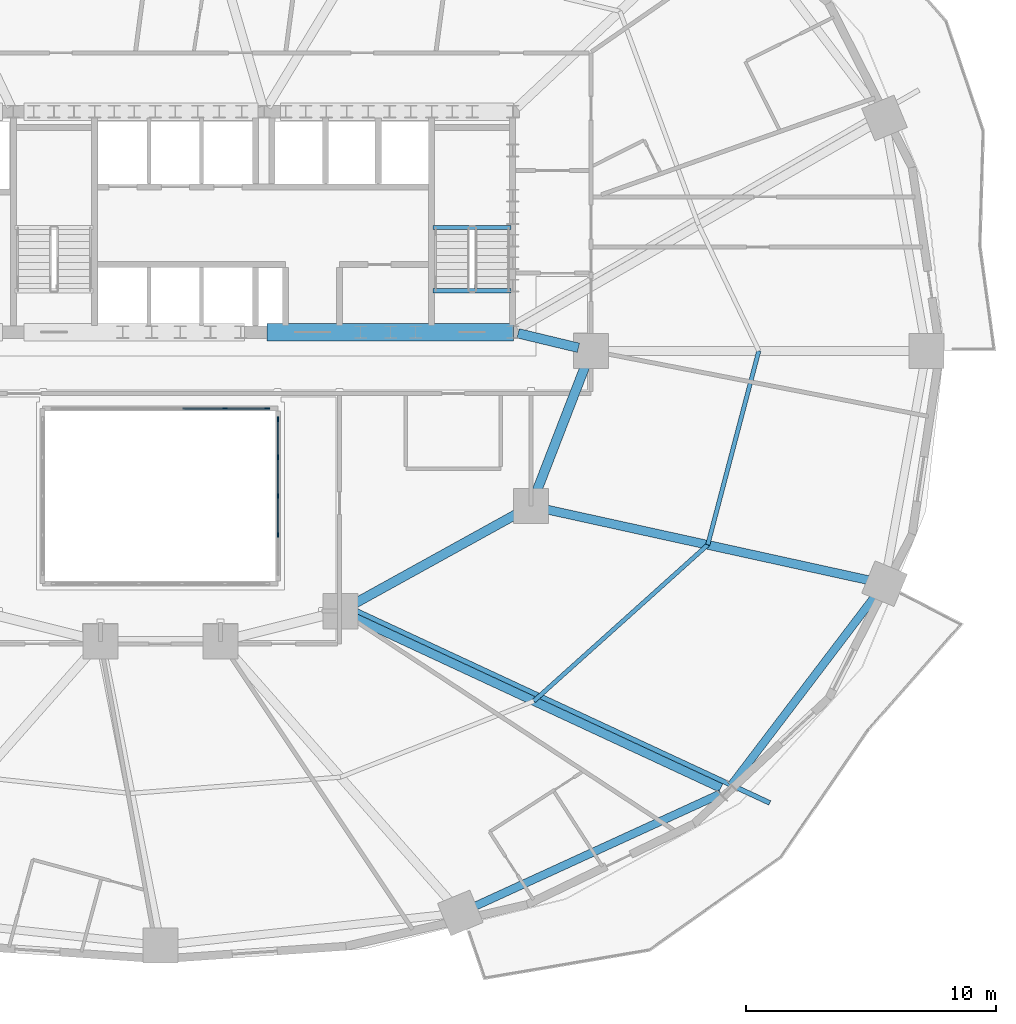
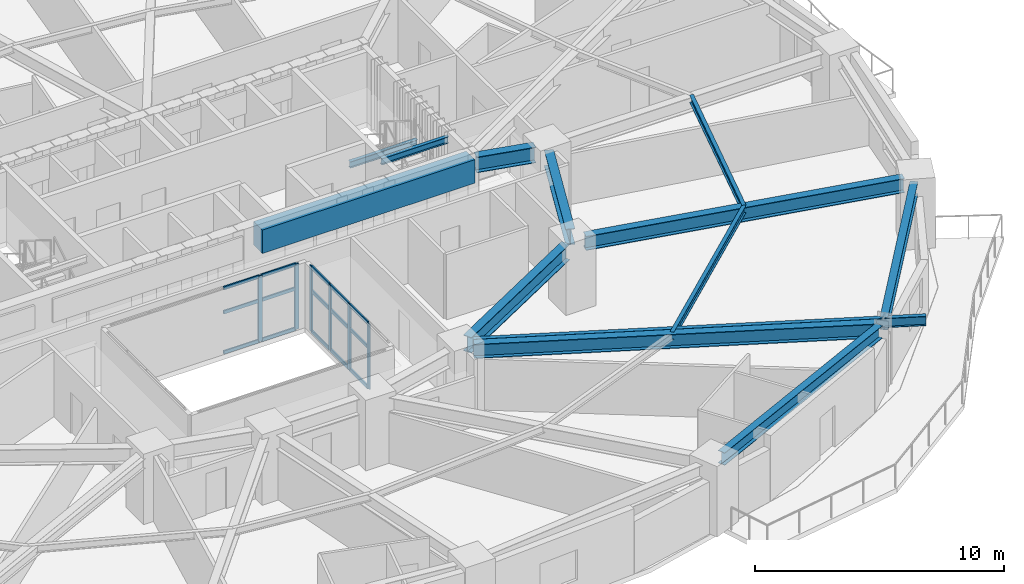
# One storey, part 6 of 17: 21 members, 13 beams, 2 elements without a shape of their own.
"""IFC4 building model written with IfcOpenShell, lengths in metres."""

from ifc_helpers import new_model, si_unit, direction, frame, origin, origin_2d, place, context, subcontext, project, spatial, rectangle, i_section, extrude, material, material_profile, profile_set, type_object, element, aggregate, save


model = new_model("IFC4")

# Units and contexts
model_context = context("Model", 3, precision=1e-05, world=origin(), true_north=direction((0.0, 1.0)))
body_context = subcontext(model_context, "Body", "Model", "MODEL_VIEW")
ifc_project = project(units=[si_unit("LENGTHUNIT", "METRE"), si_unit("AREAUNIT", "SQUARE_METRE"), si_unit("VOLUMEUNIT", "CUBIC_METRE"), si_unit("PLANEANGLEUNIT", "RADIAN"), si_unit("MASSUNIT", "GRAM", prefix="KILO")], contexts=[model_context])

# Site, building, storey
site_placement = place(None, origin())
site = spatial("IfcSite", under=ifc_project, at=site_placement, CompositionType="ELEMENT")
building_placement = place(site_placement, origin())
building = spatial("IfcBuilding", under=site, at=building_placement, Name="Haldorwick Loom Tower", CompositionType="ELEMENT")
storey_placement = place(building_placement, frame((0.0, 0.0, 51.60009765625)))
storey = spatial("IfcBuildingStorey", under=building, at=storey_placement, Name="L13", CompositionType="ELEMENT", Elevation=51.60009765625)

# Curtain wall, members
ifc_material_1 = material(Name="Thermally Broken Anodized Aluminium Curtain Wall Framing", Category="aluminium")
curtain_wall_type = type_object("IfcCurtainWallType", Name="ARC-CW-03", PredefinedType="NOTDEFINED", material=ifc_material_1)
curtain_wall_1_placement = place(storey_placement, origin())
curtain_wall_1 = element("IfcCurtainWall", 1, at=curtain_wall_1_placement, inside=storey, type_object=curtain_wall_type, Name="L13 Atrium Glazed Screen N", PredefinedType="NOTDEFINED")
ifc_material_profile_1 = material_profile(ifc_material_1, rectangle(XDim=0.06591796875, YDim=0.18505859375, at=origin_2d()), Name="ALU_MUL_66X185", Category="aluminium")
ifc_profile_set_1 = profile_set([ifc_material_profile_1], Name="Thermally Broken Anodized Aluminium Curtain Wall Framing")
member_type_1 = type_object("IfcMemberType", Name="ARC-CWM-03", PredefinedType="MULLION", material=ifc_profile_set_1)
member_1_placement = place(storey_placement, frame((38.580078125, 23.699951171875, 0.0), z_axis=(0.0, 0.0, 1.0), x_axis=(0.0, 1.0, 0.0)))
member_1 = element("IfcMember", 2, at=member_1_placement, type_object=member_type_1, Name="CW-03 mullion 5", PredefinedType="MULLION", context=body_context, shape_type="SweptSolid", body=[
    extrude(rectangle(XDim=0.06591796875, YDim=0.18505859375, at=origin_2d()), origin(), (0.0, 0.0, 1.0), 3.2099609375),
])
member_2_placement = place(storey_placement, frame((40.26708984375, 23.699951171875, 0.0), z_axis=(0.0, 0.0, 1.0), x_axis=(0.0, 1.0, 0.0)))
member_2 = element("IfcMember", 3, at=member_2_placement, type_object=member_type_1, Name="CW-03 mullion 6", PredefinedType="MULLION", context=body_context, shape_type="SweptSolid", body=[
    extrude(rectangle(XDim=0.06591796875, YDim=0.18505859375, at=origin_2d()), origin(), (0.0, 0.0, 1.0), 3.2099609375),
])

curtain_wall_2_placement = place(storey_placement, origin())
curtain_wall_2 = element("IfcCurtainWall", 4, at=curtain_wall_2_placement, inside=storey, type_object=curtain_wall_type, Name="L13 Atrium Glazed Screen E", PredefinedType="NOTDEFINED")
member_3_placement = place(storey_placement, frame((40.699951171875, 23.26708984375, 0.0), z_axis=(0.0, 0.0, 1.0), x_axis=(1.0, 0.0, 0.0)))
member_3 = element("IfcMember", 5, at=member_3_placement, type_object=member_type_1, Name="CW-03 mullion 1", PredefinedType="MULLION", context=body_context, shape_type="SweptSolid", body=[
    extrude(rectangle(XDim=0.06591796875, YDim=0.18505859375, at=origin_2d()), origin(), (0.0, 0.0, 1.0), 3.2099609375),
])
member_4_placement = place(storey_placement, frame((40.699951171875, 21.75, 0.0), z_axis=(0.0, 0.0, 1.0), x_axis=(1.0, 0.0, 0.0)))
member_4 = element("IfcMember", 6, at=member_4_placement, type_object=member_type_1, Name="CW-03 mullion 2", PredefinedType="MULLION", context=body_context, shape_type="SweptSolid", body=[
    extrude(rectangle(XDim=0.06591796875, YDim=0.18505859375, at=origin_2d()), origin(), (0.0, 0.0, 1.0), 3.2099609375),
])
member_5_placement = place(storey_placement, frame((40.699951171875, 20.199951171875, 0.0), z_axis=(0.0, 0.0, 1.0), x_axis=(1.0, 0.0, 0.0)))
member_5 = element("IfcMember", 7, at=member_5_placement, type_object=member_type_1, Name="CW-03 mullion 3", PredefinedType="MULLION", context=body_context, shape_type="SweptSolid", body=[
    extrude(rectangle(XDim=0.06591796875, YDim=0.18505859375, at=origin_2d()), origin(), (0.0, 0.0, 1.0), 3.2099609375),
])
member_6_placement = place(storey_placement, frame((40.699951171875, 18.64990234375, 0.0), z_axis=(0.0, 0.0, 1.0), x_axis=(1.0, 0.0, 0.0)))
member_6 = element("IfcMember", 8, at=member_6_placement, type_object=member_type_1, Name="CW-03 mullion 4", PredefinedType="MULLION", context=body_context, shape_type="SweptSolid", body=[
    extrude(rectangle(XDim=0.06591796875, YDim=0.18505859375, at=origin_2d()), origin(), (0.0, 0.0, 1.0), 3.2099609375),
])

# Member
ifc_material_profile_2 = material_profile(ifc_material_1, rectangle(XDim=0.06591796875, YDim=0.1650390625, at=origin_2d()), Name="ALU_TRN_66X165", Category="aluminium")
ifc_profile_set_2 = profile_set([ifc_material_profile_2], Name="Thermally Broken Anodized Aluminium Curtain Wall Framing")
member_type_2 = type_object("IfcMemberType", Name="ARC-CWT-03", PredefinedType="USERDEFINED", material=ifc_profile_set_2)
member_7_placement = place(storey_placement, frame((36.89306640625, 23.699951171875, 0.032958984375), z_axis=(1.0, 0.0, 0.0), x_axis=(0.0, 1.0, 0.0)))
member_7 = element("IfcMember", 9, at=member_7_placement, type_object=member_type_2, Name="CW-03 transom 4.1", ObjectType="TRANSOM", PredefinedType="USERDEFINED", context=body_context, shape_type="SweptSolid", body=[
    extrude(rectangle(XDim=0.06591796875, YDim=0.1650390625, at=origin_2d()), origin(), (0.0, 0.0, 1.0), 1.654052734375),
])

member_8_placement = place(storey_placement, frame((36.89306640625, 23.699951171875, 2.0), z_axis=(1.0, 0.0, 0.0), x_axis=(0.0, 1.0, 0.0)))
member_8 = element("IfcMember", 10, at=member_8_placement, type_object=member_type_2, Name="CW-03 transom 4.2", ObjectType="TRANSOM", PredefinedType="USERDEFINED", context=body_context, shape_type="SweptSolid", body=[
    extrude(rectangle(XDim=0.06591796875, YDim=0.1650390625, at=origin_2d()), origin(), (0.0, 0.0, 1.0), 1.654052734375),
])

member_9_placement = place(storey_placement, frame((36.89306640625, 23.699951171875, 3.177001953125), z_axis=(1.0, 0.0, 0.0), x_axis=(0.0, 1.0, 0.0)))
member_9 = element("IfcMember", 11, at=member_9_placement, type_object=member_type_2, Name="CW-03 transom 4.3", ObjectType="TRANSOM", PredefinedType="USERDEFINED", context=body_context, shape_type="SweptSolid", body=[
    extrude(rectangle(XDim=0.06591796875, YDim=0.1650390625, at=origin_2d()), origin(), (0.0, 0.0, 1.0), 1.654052734375),
])

member_10_placement = place(storey_placement, frame((38.613037109375, 23.699951171875, 0.032958984375), z_axis=(1.0, 0.0, 0.0), x_axis=(0.0, 1.0, 0.0)))
member_10 = element("IfcMember", 12, at=member_10_placement, type_object=member_type_2, Name="CW-03 transom 5.1", ObjectType="TRANSOM", PredefinedType="USERDEFINED", context=body_context, shape_type="SweptSolid", body=[
    extrude(rectangle(XDim=0.06591796875, YDim=0.1650390625, at=origin_2d()), origin(), (0.0, 0.0, 1.0), 1.620849609375),
])

member_11_placement = place(storey_placement, frame((38.613037109375, 23.699951171875, 2.0), z_axis=(1.0, 0.0, 0.0), x_axis=(0.0, 1.0, 0.0)))
member_11 = element("IfcMember", 13, at=member_11_placement, type_object=member_type_2, Name="CW-03 transom 5.2", ObjectType="TRANSOM", PredefinedType="USERDEFINED", context=body_context, shape_type="SweptSolid", body=[
    extrude(rectangle(XDim=0.06591796875, YDim=0.1650390625, at=origin_2d()), origin(), (0.0, 0.0, 1.0), 1.620849609375),
])

member_12_placement = place(storey_placement, frame((38.613037109375, 23.699951171875, 3.177001953125), z_axis=(1.0, 0.0, 0.0), x_axis=(0.0, 1.0, 0.0)))
member_12 = element("IfcMember", 14, at=member_12_placement, type_object=member_type_2, Name="CW-03 transom 5.3", ObjectType="TRANSOM", PredefinedType="USERDEFINED", context=body_context, shape_type="SweptSolid", body=[
    extrude(rectangle(XDim=0.06591796875, YDim=0.1650390625, at=origin_2d()), origin(), (0.0, 0.0, 1.0), 1.620849609375),
])

aggregate(curtain_wall_1, [member_1, member_2, member_7, member_8, member_9, member_10, member_11, member_12])

member_13_placement = place(storey_placement, frame((40.699951171875, 23.23388671875, 0.032958984375), z_axis=(0.0, -1.0, 0.0), x_axis=(1.0, 0.0, 0.0)))
member_13 = element("IfcMember", 15, at=member_13_placement, type_object=member_type_2, Name="CW-03 transom 1.1", ObjectType="TRANSOM", PredefinedType="USERDEFINED", context=body_context, shape_type="SweptSolid", body=[
    extrude(rectangle(XDim=0.06591796875, YDim=0.1650390625, at=origin_2d()), origin(), (0.0, 0.0, 1.0), 1.450927734375),
])

member_14_placement = place(storey_placement, frame((40.699951171875, 23.23388671875, 2.0), z_axis=(0.0, -1.0, 0.0), x_axis=(1.0, 0.0, 0.0)))
member_14 = element("IfcMember", 16, at=member_14_placement, type_object=member_type_2, Name="CW-03 transom 1.2", ObjectType="TRANSOM", PredefinedType="USERDEFINED", context=body_context, shape_type="SweptSolid", body=[
    extrude(rectangle(XDim=0.06591796875, YDim=0.1650390625, at=origin_2d()), origin(), (0.0, 0.0, 1.0), 1.450927734375),
])

member_15_placement = place(storey_placement, frame((40.699951171875, 23.23388671875, 3.177001953125), z_axis=(0.0, -1.0, 0.0), x_axis=(1.0, 0.0, 0.0)))
member_15 = element("IfcMember", 17, at=member_15_placement, type_object=member_type_2, Name="CW-03 transom 1.3", ObjectType="TRANSOM", PredefinedType="USERDEFINED", context=body_context, shape_type="SweptSolid", body=[
    extrude(rectangle(XDim=0.06591796875, YDim=0.1650390625, at=origin_2d()), origin(), (0.0, 0.0, 1.0), 1.450927734375),
])

member_16_placement = place(storey_placement, frame((40.699951171875, 21.717041015625, 0.032958984375), z_axis=(0.0, -1.0, 0.0), x_axis=(1.0, 0.0, 0.0)))
member_16 = element("IfcMember", 18, at=member_16_placement, type_object=member_type_2, Name="CW-03 transom 2.1", ObjectType="TRANSOM", PredefinedType="USERDEFINED", context=body_context, shape_type="SweptSolid", body=[
    extrude(rectangle(XDim=0.06591796875, YDim=0.1650390625, at=origin_2d()), origin(), (0.0, 0.0, 1.0), 1.484130859375),
])

member_17_placement = place(storey_placement, frame((40.699951171875, 21.717041015625, 2.0), z_axis=(0.0, -1.0, 0.0), x_axis=(1.0, 0.0, 0.0)))
member_17 = element("IfcMember", 19, at=member_17_placement, type_object=member_type_2, Name="CW-03 transom 2.2", ObjectType="TRANSOM", PredefinedType="USERDEFINED", context=body_context, shape_type="SweptSolid", body=[
    extrude(rectangle(XDim=0.06591796875, YDim=0.1650390625, at=origin_2d()), origin(), (0.0, 0.0, 1.0), 1.484130859375),
])

member_18_placement = place(storey_placement, frame((40.699951171875, 21.717041015625, 3.177001953125), z_axis=(0.0, -1.0, 0.0), x_axis=(1.0, 0.0, 0.0)))
member_18 = element("IfcMember", 20, at=member_18_placement, type_object=member_type_2, Name="CW-03 transom 2.3", ObjectType="TRANSOM", PredefinedType="USERDEFINED", context=body_context, shape_type="SweptSolid", body=[
    extrude(rectangle(XDim=0.06591796875, YDim=0.1650390625, at=origin_2d()), origin(), (0.0, 0.0, 1.0), 1.484130859375),
])

member_19_placement = place(storey_placement, frame((40.699951171875, 20.1669921875, 0.032958984375), z_axis=(0.0, -1.0, 0.0), x_axis=(1.0, 0.0, 0.0)))
member_19 = element("IfcMember", 21, at=member_19_placement, type_object=member_type_2, Name="CW-03 transom 3.1", ObjectType="TRANSOM", PredefinedType="USERDEFINED", context=body_context, shape_type="SweptSolid", body=[
    extrude(rectangle(XDim=0.06591796875, YDim=0.1650390625, at=origin_2d()), origin(), (0.0, 0.0, 1.0), 1.48388671875),
])

member_20_placement = place(storey_placement, frame((40.699951171875, 20.1669921875, 2.0), z_axis=(0.0, -1.0, 0.0), x_axis=(1.0, 0.0, 0.0)))
member_20 = element("IfcMember", 22, at=member_20_placement, type_object=member_type_2, Name="CW-03 transom 3.2", ObjectType="TRANSOM", PredefinedType="USERDEFINED", context=body_context, shape_type="SweptSolid", body=[
    extrude(rectangle(XDim=0.06591796875, YDim=0.1650390625, at=origin_2d()), origin(), (0.0, 0.0, 1.0), 1.48388671875),
])

member_21_placement = place(storey_placement, frame((40.699951171875, 20.1669921875, 3.177001953125), z_axis=(0.0, -1.0, 0.0), x_axis=(1.0, 0.0, 0.0)))
member_21 = element("IfcMember", 23, at=member_21_placement, type_object=member_type_2, Name="CW-03 transom 3.3", ObjectType="TRANSOM", PredefinedType="USERDEFINED", context=body_context, shape_type="SweptSolid", body=[
    extrude(rectangle(XDim=0.06591796875, YDim=0.1650390625, at=origin_2d()), origin(), (0.0, 0.0, 1.0), 1.48388671875),
])

aggregate(curtain_wall_2, [member_3, member_4, member_5, member_6, member_13, member_14, member_15, member_16, member_17, member_18, member_19, member_20, member_21])

# Beams
ifc_material_2 = material(Name="Steel CSA G40.21 350W", Category="steel")
ifc_material_profile_3 = material_profile(ifc_material_2, i_section(OverallWidth=0.193115234375, OverallDepth=0.466064453125, WebThickness=0.011474609375, FlangeThickness=0.01904296875, at=origin_2d()), Name="W460X97", Category="steel")
ifc_profile_set_3 = profile_set([ifc_material_profile_3], Name="Steel CSA G40.21 350W")
beam_type_1 = type_object("IfcBeamType", Name="STR-BM-BAL460", PredefinedType="BEAM", material=ifc_profile_set_3)
beam_1_placement = place(storey_placement, frame((43.78955078125, 15.634765625, 2.976806640625), z_axis=(0.906835669686, -0.42148436292, 0.0), x_axis=(0.42148436292, 0.906835669686, 0.0)))
element("IfcBeam", 24, at=beam_1_placement, inside=storey, type_object=beam_type_1, Name="L13 Continuous Back-Spanned Balcony Beam 1", PredefinedType="BEAM", context=body_context, shape_type="SweptSolid", body=[
    extrude(i_section(OverallWidth=0.193115234375, OverallDepth=0.466064453125, WebThickness=0.011474609375, FlangeThickness=0.01904296875, at=origin_2d()), origin(), (0.0, 0.0, 1.0), 18.245361328125),
])
ifc_material_3 = material(Name="Concrete C60 (60 MPa)", Category="concrete")
ifc_material_profile_4 = material_profile(ifc_material_3, rectangle(XDim=0.699951171875, YDim=1.14990234375, at=origin_2d()), Name="RC700X1150", Category="concrete")
ifc_profile_set_4 = profile_set([ifc_material_profile_4], Name="Concrete C60 (60 MPa)")
beam_type_2 = type_object("IfcBeamType", Name="STR-BM-CB1150", PredefinedType="LINTEL", material=ifc_profile_set_4)
beam_2_placement = place(storey_placement, frame((40.25, 26.75, 2.635009765625), z_axis=(1.0, 0.0, 0.0), x_axis=(0.0, 1.0, 0.0)))
element("IfcBeam", 25, at=beam_2_placement, inside=storey, type_object=beam_type_2, Name="L13 Core Coupling Beam CB-S3", PredefinedType="LINTEL", context=body_context, shape_type="SweptSolid", body=[
    extrude(rectangle(XDim=0.699951171875, YDim=1.14990234375, at=origin_2d()), origin(), (0.0, 0.0, 1.0), 9.85009765625),
])
ifc_material_profile_5 = material_profile(ifc_material_2, i_section(OverallWidth=0.172119140625, OverallDepth=0.35791015625, WebThickness=0.0078125, FlangeThickness=0.01318359375, at=origin_2d()), Name="W360X57", Category="steel")
ifc_profile_set_5 = profile_set([ifc_material_profile_5], Name="Steel CSA G40.21 350W")
beam_type_3 = type_object("IfcBeamType", Name="STR-BM-J360", PredefinedType="JOIST", material=ifc_profile_set_5)
beam_3_placement = place(storey_placement, frame((50.9150390625, 12.01416015625, 3.031005859375), z_axis=(0.743981830112, 0.668199847698, 0.0), x_axis=(-0.668199847698, 0.743981830112, 0.0)))
element("IfcBeam", 26, at=beam_3_placement, inside=storey, type_object=beam_type_3, Name="L13 Mid-Bay Secondary Joist 15", PredefinedType="JOIST", context=body_context, shape_type="SweptSolid", body=[
    extrude(i_section(OverallWidth=0.172119140625, OverallDepth=0.35791015625, WebThickness=0.0078125, FlangeThickness=0.01318359375, at=origin_2d()), origin(), (0.0, 0.0, 1.0), 9.3330078125),
])
beam_4_placement = place(storey_placement, frame((57.858642578125, 18.25048828125, 3.031005859375), z_axis=(0.2544888003, 0.967075721193, 0.0), x_axis=(-0.967075721193, 0.2544888003, 0.0)))
element("IfcBeam", 27, at=beam_4_placement, inside=storey, type_object=beam_type_3, Name="L13 Mid-Bay Secondary Joist 16", PredefinedType="JOIST", context=body_context, shape_type="SweptSolid", body=[
    extrude(i_section(OverallWidth=0.172119140625, OverallDepth=0.35791015625, WebThickness=0.0078125, FlangeThickness=0.01318359375, at=origin_2d()), origin(), (0.0, 0.0, 1.0), 8.013427734375),
])
ifc_material_profile_6 = material_profile(ifc_material_2, i_section(OverallWidth=0.324951171875, OverallDepth=0.615966796875, WebThickness=0.013916015625, FlangeThickness=0.021484375, at=origin_2d()), Name="W610X174", Category="steel")
ifc_profile_set_6 = profile_set([ifc_material_profile_6], Name="Steel CSA G40.21 350W")
beam_type_4 = type_object("IfcBeamType", Name="STR-BM-SP610", PredefinedType="SPANDREL", material=ifc_profile_set_6)
beam_5_placement = place(storey_placement, frame((48.45068359375, 3.76611328125, 2.90185546875), z_axis=(0.909173805321, 0.416416848504, 0.0), x_axis=(-0.416416848504, 0.909173805321, 0.0)))
element("IfcBeam", 28, at=beam_5_placement, inside=storey, type_object=beam_type_4, Name="L13 Perimeter Spandrel 14", PredefinedType="SPANDREL", context=body_context, shape_type="SweptSolid", body=[
    extrude(i_section(OverallWidth=0.324951171875, OverallDepth=0.615966796875, WebThickness=0.013916015625, FlangeThickness=0.021484375, at=origin_2d()), origin(), (0.0, 0.0, 1.0), 10.92138671875),
])
beam_6_placement = place(storey_placement, frame((58.796630859375, 8.647216796875, 2.90185546875), z_axis=(0.605084557744, 0.796161213562, 0.0), x_axis=(-0.796161213562, 0.605084557744, 0.0)))
element("IfcBeam", 29, at=beam_6_placement, inside=storey, type_object=beam_type_4, Name="L13 Perimeter Spandrel 15", PredefinedType="SPANDREL", context=body_context, shape_type="SweptSolid", body=[
    extrude(i_section(OverallWidth=0.324951171875, OverallDepth=0.615966796875, WebThickness=0.013916015625, FlangeThickness=0.021484375, at=origin_2d()), origin(), (0.0, 0.0, 1.0), 9.595703125),
])
ifc_material_profile_7 = material_profile(ifc_material_2, i_section(OverallWidth=0.166015625, OverallDepth=0.31298828125, WebThickness=0.006591796875, FlangeThickness=0.01123046875, at=origin_2d()), Name="W310X45", Category="steel")
ifc_profile_set_7 = profile_set([ifc_material_profile_7], Name="Steel CSA G40.21 350W")
beam_type_5 = type_object("IfcBeamType", Name="STR-BM-STRM", PredefinedType="BEAM", material=ifc_profile_set_7)
for number, where, z_axis, x_axis, name in (
    (30, (46.889892578125, 28.39990234375, 3.053466796875), (1.0, 0.0, 0.0), (0.0, 1.0, 0.0), "L13 Stair ST-02 Landing Edge Trimmer"),
    (31, (46.889892578125, 30.919921875, 1.368408203125), (1.0, 0.0, 0.0), (0.0, 1.0, 0.0), "L13 Stair ST-02 Half-Landing Trimmer 1"),
):
    element("IfcBeam", number, at=place(storey_placement, frame(where, z_axis=z_axis, x_axis=x_axis)), inside=storey, type_object=beam_type_5, Name=name, PredefinedType="BEAM", context=body_context, shape_type="SweptSolid", body=[
        extrude(i_section(OverallWidth=0.166015625, OverallDepth=0.31298828125, WebThickness=0.006591796875, FlangeThickness=0.01123046875, at=origin_2d()), origin(), (0.0, 0.0, 1.0), 3.1201171875),
    ])
ifc_material_profile_8 = material_profile(ifc_material_2, i_section(OverallWidth=0.35498046875, OverallDepth=0.695068359375, WebThickness=0.015380859375, FlangeThickness=0.02490234375, at=origin_2d()), Name="W690X217", Category="steel")
ifc_profile_set_8 = profile_set([ifc_material_profile_8], Name="Steel CSA G40.21 350W")
beam_type_6 = type_object("IfcBeamType", Name="STR-BM-W690", PredefinedType="BEAM", material=ifc_profile_set_8)
beam_7_placement = place(storey_placement, frame((43.671630859375, 15.380859375, 2.8623046875), z_axis=(0.90683498532, -0.421485835349, 0.0), x_axis=(0.421485835349, 0.90683498532, 0.0)))
element("IfcBeam", 32, at=beam_7_placement, inside=storey, type_object=beam_type_6, Name="L13 Radial Floor Girder 15", PredefinedType="BEAM", context=body_context, shape_type="SweptSolid", body=[
    extrude(i_section(OverallWidth=0.35498046875, OverallDepth=0.695068359375, WebThickness=0.015380859375, FlangeThickness=0.02490234375, at=origin_2d()), origin(), (0.0, 0.0, 1.0), 16.220458984375),
])
beam_8_placement = place(storey_placement, frame((51.307861328125, 19.6884765625, 2.8623046875), z_axis=(0.976740159434, -0.214426353203, 0.0), x_axis=(0.214426353203, 0.976740159434, 0.0)))
element("IfcBeam", 33, at=beam_8_placement, inside=storey, type_object=beam_type_6, Name="L13 Radial Floor Girder 16", PredefinedType="BEAM", context=body_context, shape_type="SweptSolid", body=[
    extrude(i_section(OverallWidth=0.35498046875, OverallDepth=0.695068359375, WebThickness=0.015380859375, FlangeThickness=0.02490234375, at=origin_2d()), origin(), (0.0, 0.0, 1.0), 13.41357421875),
])
ifc_material_profile_9 = material_profile(ifc_material_2, i_section(OverallWidth=0.381103515625, OverallDepth=0.77294921875, WebThickness=0.0166015625, FlangeThickness=0.027587890625, at=origin_2d()), Name="W760X257", Category="steel")
ifc_profile_set_9 = profile_set([ifc_material_profile_9], Name="Steel CSA G40.21 350W")
beam_type_7 = type_object("IfcBeamType", Name="STR-BM-W760", PredefinedType="BEAM", material=ifc_profile_set_9)
beam_9_placement = place(storey_placement, frame((50.288818359375, 26.697509765625, 2.823486328125), z_axis=(0.97247055837, -0.233025777764, 0.0), x_axis=(0.233025777764, 0.97247055837, 0.0)))
element("IfcBeam", 34, at=beam_9_placement, inside=storey, type_object=beam_type_7, Name="L13 Inner Ring Girder 1", PredefinedType="BEAM", context=body_context, shape_type="SweptSolid", body=[
    extrude(i_section(OverallWidth=0.381103515625, OverallDepth=0.77294921875, WebThickness=0.0166015625, FlangeThickness=0.027587890625, at=origin_2d()), origin(), (0.0, 0.0, 1.0), 2.4736328125),
])
beam_10_placement = place(storey_placement, frame((53.01220703125, 25.51513671875, 2.823486328125), z_axis=(-0.360964792353, -0.93257944363, 0.0), x_axis=(0.93257944363, -0.360964792353, 0.0)))
element("IfcBeam", 35, at=beam_10_placement, inside=storey, type_object=beam_type_7, Name="L13 Inner Ring Girder 2", PredefinedType="BEAM", context=body_context, shape_type="SweptSolid", body=[
    extrude(i_section(OverallWidth=0.381103515625, OverallDepth=0.77294921875, WebThickness=0.0166015625, FlangeThickness=0.027587890625, at=origin_2d()), origin(), (0.0, 0.0, 1.0), 5.6083984375),
])
beam_11_placement = place(storey_placement, frame((50.344970703125, 19.548583984375, 2.823486328125), z_axis=(-0.875244382146, -0.483680960471, 0.0), x_axis=(0.483680960471, -0.875244382146, 0.0)))
element("IfcBeam", 36, at=beam_11_placement, inside=storey, type_object=beam_type_7, Name="L13 Inner Ring Girder 3", PredefinedType="BEAM", context=body_context, shape_type="SweptSolid", body=[
    extrude(i_section(OverallWidth=0.381103515625, OverallDepth=0.77294921875, WebThickness=0.0166015625, FlangeThickness=0.027587890625, at=origin_2d()), origin(), (0.0, 0.0, 1.0), 7.6435546875),
])

save(model, "model.ifc")
